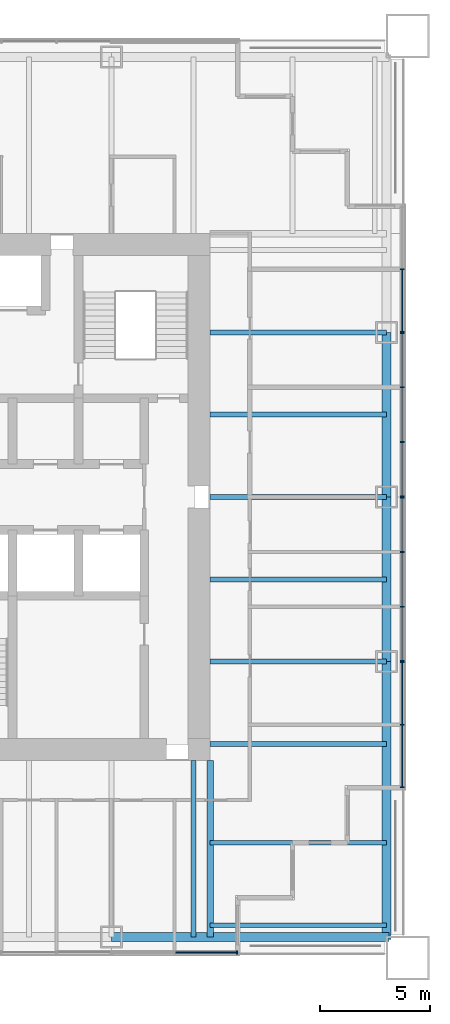
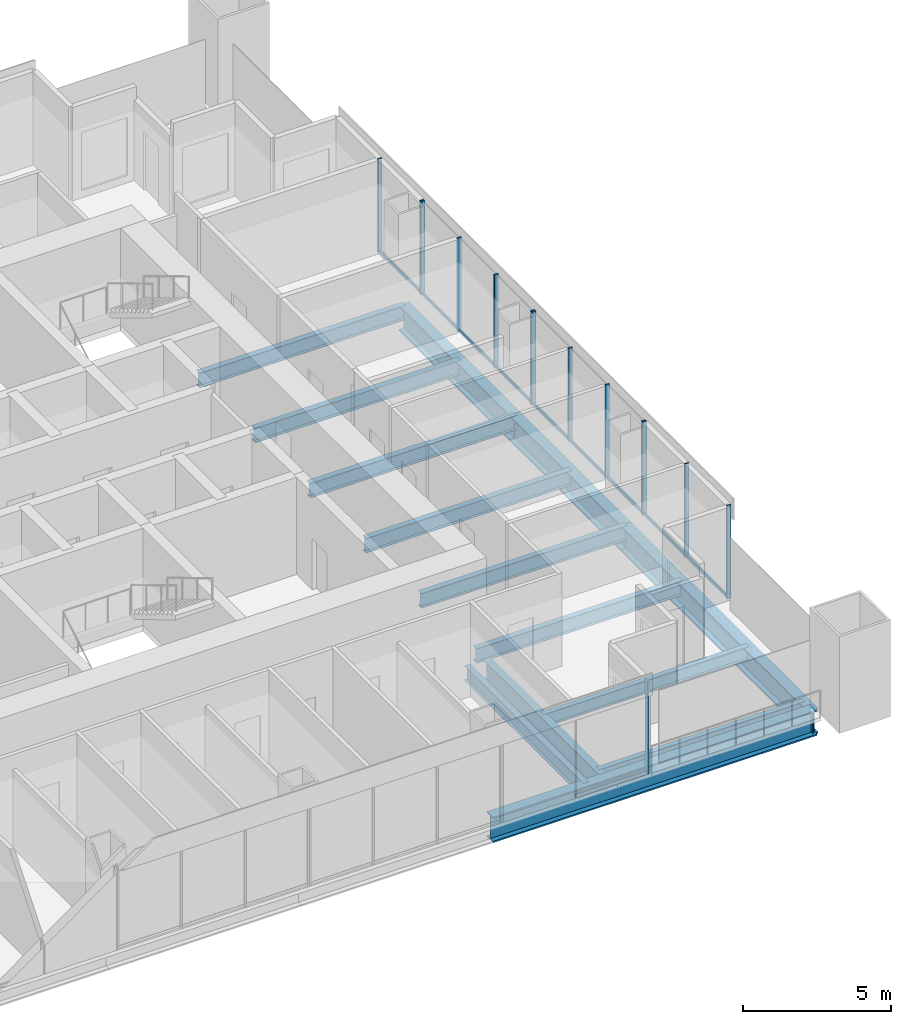
# One storey, part 5 of 14: 24 members, 14 beams, 5 elements without a shape of their own.
"""IFC4 building model written with IfcOpenShell, lengths in metres."""

from ifc_helpers import new_model, si_unit, direction, frame, origin, origin_2d, place, context, subcontext, project, spatial, rectangle, i_section, extrude, material, material_profile, profile_set, type_object, element, aggregate, save


model = new_model("IFC4")

# Units and contexts
model_context = context("Model", 3, precision=1e-05, world=origin(), true_north=direction((0.0, 1.0)))
body_context = subcontext(model_context, "Body", "Model", "MODEL_VIEW")
ifc_project = project(units=[si_unit("LENGTHUNIT", "METRE"), si_unit("AREAUNIT", "SQUARE_METRE"), si_unit("VOLUMEUNIT", "CUBIC_METRE"), si_unit("PLANEANGLEUNIT", "RADIAN"), si_unit("MASSUNIT", "GRAM", prefix="KILO")], contexts=[model_context])

# Site, building, storey
site_placement = place(None, origin())
site = spatial("IfcSite", under=ifc_project, at=site_placement, CompositionType="ELEMENT")
building_placement = place(site_placement, origin())
building = spatial("IfcBuilding", under=site, at=building_placement, Name="Tarangal Relay Tower", CompositionType="ELEMENT")
storey_placement = place(building_placement, frame((0.0, 0.0, 303.89990234375)))
storey = spatial("IfcBuildingStorey", under=building, at=storey_placement, Name="L67", CompositionType="ELEMENT", Elevation=303.89990234375)

# Beams
ifc_material_1 = material(Name="Steel ASTM A992", Category="steel")
ifc_material_profile_1 = material_profile(ifc_material_1, i_section(OverallWidth=0.209228515625, OverallDepth=0.533447265625, WebThickness=0.01025390625, FlangeThickness=0.015625, at=origin_2d()), Name="W21X62")
ifc_profile_set_1 = profile_set([ifc_material_profile_1], Name="Steel ASTM A992")
beam_type_1 = type_object("IfcBeamType", Name="Corner beam W21X62", PredefinedType="JOIST", material=ifc_profile_set_1)
for number, where, z_axis, x_axis, name in (
    (1, (12.0, -15.75, -0.41650390625), (1.0, 0.0, 0.0), (0.0, 1.0, 0.0), "Corner beam CB12 E L67"),
    (2, (12.0, -19.5, -0.41650390625), (1.0, 0.0, 0.0), (0.0, 1.0, 0.0), "Corner beam CB12 E L67"),
):
    element("IfcBeam", number, at=place(storey_placement, frame(where, z_axis=z_axis, x_axis=x_axis)), inside=storey, type_object=beam_type_1, Name=name, PredefinedType="JOIST", context=body_context, shape_type="SweptSolid", body=[
        extrude(i_section(OverallWidth=0.209228515625, OverallDepth=0.533447265625, WebThickness=0.01025390625, FlangeThickness=0.015625, at=origin_2d()), origin(), (0.0, 0.0, 1.0), 8.0400390625),
    ])
ifc_material_profile_2 = material_profile(ifc_material_1, i_section(OverallWidth=0.2919921875, OverallDepth=0.8408203125, WebThickness=0.0146484375, FlangeThickness=0.021728515625, at=origin_2d()), Name="W33X130")
ifc_profile_set_2 = profile_set([ifc_material_profile_2], Name="Steel ASTM A992")
beam_type_2 = type_object("IfcBeamType", Name="Corner girder W33X130", PredefinedType="BEAM", material=ifc_profile_set_2)
beam_placement = place(storey_placement, frame((12.0, -12.0, -0.5703125), z_axis=(0.0, -1.0, 0.0), x_axis=(1.0, 0.0, 0.0)))
element("IfcBeam", 3, at=beam_placement, inside=storey, type_object=beam_type_2, Name="Corner girder CG5 E L67", PredefinedType="BEAM", context=body_context, shape_type="SweptSolid", body=[
    extrude(i_section(OverallWidth=0.2919921875, OverallDepth=0.8408203125, WebThickness=0.0146484375, FlangeThickness=0.021728515625, at=origin_2d()), origin(), (0.0, 0.0, 1.0), 8.0400390625),
])
ifc_material_profile_3 = material_profile(ifc_material_1, i_section(OverallWidth=0.41162109375, OverallDepth=1.049072265625, WebThickness=0.033935546875, FlangeThickness=0.059814453125, at=origin_2d()), Name="W40X431")
ifc_profile_set_3 = profile_set([ifc_material_profile_3], Name="Steel ASTM A992")
beam_type_3 = type_object("IfcBeamType", Name="Edge girder W40X431", PredefinedType="SPANDREL", material=ifc_profile_set_3)
for number, where, z_axis, x_axis, name in (
    (4, (20.0400390625, 7.5, -0.67431640625), (0.0, -1.0, 0.0), (1.0, 0.0, 0.0), "Edge girder EG1 E L67"),
    (5, (20.0400390625, 0.0, -0.67431640625), (0.0, -1.0, 0.0), (1.0, 0.0, 0.0), "Edge girder EG1 E L67"),
):
    element("IfcBeam", number, at=place(storey_placement, frame(where, z_axis=z_axis, x_axis=x_axis)), inside=storey, type_object=beam_type_3, Name=name, PredefinedType="SPANDREL", context=body_context, shape_type="SweptSolid", body=[
        extrude(i_section(OverallWidth=0.41162109375, OverallDepth=1.049072265625, WebThickness=0.033935546875, FlangeThickness=0.059814453125, at=origin_2d()), origin(), (0.0, 0.0, 1.0), 7.5),
    ])
for number, where, z_axis, x_axis, name in (
    (6, (20.0400390625, -7.5, -0.67431640625), (0.0, -1.0, 0.0), (1.0, 0.0, 0.0), "Edge girder EG1 E L67"),
    (7, (20.14990234375, -20.0400390625, -0.67431640625), (-1.0, 0.0, 0.0), (0.0, -1.0, 0.0), "Edge girder EG1 S L67"),
):
    element("IfcBeam", number, at=place(storey_placement, frame(where, z_axis=z_axis, x_axis=x_axis)), inside=storey, type_object=beam_type_3, Name=name, PredefinedType="SPANDREL", context=body_context, shape_type="SweptSolid", body=[
        extrude(i_section(OverallWidth=0.41162109375, OverallDepth=1.049072265625, WebThickness=0.033935546875, FlangeThickness=0.059814453125, at=origin_2d()), origin(), (0.0, 0.0, 1.0), 12.64990234375),
    ])
ifc_material_profile_4 = material_profile(ifc_material_1, i_section(OverallWidth=0.228271484375, OverallDepth=0.607177734375, WebThickness=0.01123046875, FlangeThickness=0.017333984375, at=origin_2d()), Name="W24X76")
ifc_profile_set_4 = profile_set([ifc_material_profile_4], Name="Steel ASTM A992")
beam_type_4 = type_object("IfcBeamType", Name="Floor beam W24X76", PredefinedType="BEAM", material=ifc_profile_set_4)
for number, where, z_axis, x_axis, name in (
    (8, (12.0, 7.5, -0.453369140625), (1.0, 0.0, 0.0), (0.0, 1.0, 0.0), "Floor beam RB5 E L67"),
    (9, (12.0, 3.75, -0.453369140625), (1.0, 0.0, 0.0), (0.0, 1.0, 0.0), "Floor beam RB5 E L67"),
    (10, (12.0, 0.0, -0.453369140625), (1.0, 0.0, 0.0), (0.0, 1.0, 0.0), "Floor beam RB5 E L67"),
    (11, (12.0, -3.75, -0.453369140625), (1.0, 0.0, 0.0), (0.0, 1.0, 0.0), "Floor beam RB5 E L67"),
    (12, (12.0, -7.5, -0.453369140625), (1.0, 0.0, 0.0), (0.0, 1.0, 0.0), "Floor beam RB5 E L67"),
    (13, (12.0, -11.25, -0.453369140625), (1.0, 0.0, 0.0), (0.0, 1.0, 0.0), "Floor beam RB5 E L67"),
    (14, (11.25, -12.0, -0.453369140625), (0.0, -1.0, 0.0), (1.0, 0.0, 0.0), "Floor beam RB5 S L67"),
):
    element("IfcBeam", number, at=place(storey_placement, frame(where, z_axis=z_axis, x_axis=x_axis)), inside=storey, type_object=beam_type_4, Name=name, PredefinedType="BEAM", context=body_context, shape_type="SweptSolid", body=[
        extrude(i_section(OverallWidth=0.228271484375, OverallDepth=0.607177734375, WebThickness=0.01123046875, FlangeThickness=0.017333984375, at=origin_2d()), origin(), (0.0, 0.0, 1.0), 8.0400390625),
    ])

# Curtain wall, members
ifc_material_2 = material(Name="Unitised curtain wall, dark glass and black aluminium", Category="aluminium")
curtain_wall_type_1 = type_object("IfcCurtainWallType", Name="Curtain wall CW-B", PredefinedType="USERDEFINED", material=ifc_material_2)
curtain_wall_1_placement = place(storey_placement, origin())
curtain_wall_1 = element("IfcCurtainWall", 15, at=curtain_wall_1_placement, inside=storey, type_object=curtain_wall_type_1, Name="Curtain wall CW-B E facade L67", ObjectType="UNITISED CURTAIN WALL", PredefinedType="USERDEFINED")
ifc_material_3 = material(Name="Black anodised aluminium mullion", Category="aluminium")
ifc_material_profile_5 = material_profile(ifc_material_3, rectangle(XDim=0.159912109375, YDim=0.06005859375, at=origin_2d()), Name="CW-BM 60X160")
ifc_profile_set_5 = profile_set([ifc_material_profile_5], Name="Black anodised aluminium mullion")
member_type_1 = type_object("IfcMemberType", Name="Mullion CW-B 60 x 160", PredefinedType="MULLION", material=ifc_profile_set_5)
member_1_placement = place(storey_placement, frame((20.75, 7.469970703125, 0.0), z_axis=(0.0, 0.0, 1.0), x_axis=(1.0, 0.0, 0.0)))
member_1 = element("IfcMember", 16, at=member_1_placement, type_object=member_type_1, Name="CW-B mullion 1", PredefinedType="MULLION", context=body_context, shape_type="SweptSolid", body=[
    extrude(rectangle(XDim=0.159912109375, YDim=0.06005859375, at=origin_2d()), origin(), (0.0, 0.0, 1.0), 3.85009765625),
])
member_2_placement = place(storey_placement, frame((20.75, 5.0, 0.0), z_axis=(0.0, 0.0, 1.0), x_axis=(1.0, 0.0, 0.0)))
member_2 = element("IfcMember", 17, at=member_2_placement, type_object=member_type_1, Name="CW-B mullion 2", PredefinedType="MULLION", context=body_context, shape_type="SweptSolid", body=[
    extrude(rectangle(XDim=0.159912109375, YDim=0.06005859375, at=origin_2d()), origin(), (0.0, 0.0, 1.0), 3.85009765625),
])
member_3_placement = place(storey_placement, frame((20.75, 2.5, 0.0), z_axis=(0.0, 0.0, 1.0), x_axis=(1.0, 0.0, 0.0)))
member_3 = element("IfcMember", 18, at=member_3_placement, type_object=member_type_1, Name="CW-B mullion 3", PredefinedType="MULLION", context=body_context, shape_type="SweptSolid", body=[
    extrude(rectangle(XDim=0.159912109375, YDim=0.06005859375, at=origin_2d()), origin(), (0.0, 0.0, 1.0), 3.85009765625),
])
member_4_placement = place(storey_placement, frame((20.75, 0.030029296875, 0.0), z_axis=(0.0, 0.0, 1.0), x_axis=(1.0, 0.0, 0.0)))
member_4 = element("IfcMember", 19, at=member_4_placement, type_object=member_type_1, Name="CW-B mullion 4", PredefinedType="MULLION", context=body_context, shape_type="SweptSolid", body=[
    extrude(rectangle(XDim=0.159912109375, YDim=0.06005859375, at=origin_2d()), origin(), (0.0, 0.0, 1.0), 3.85009765625),
])

curtain_wall_2_placement = place(storey_placement, origin())
curtain_wall_2 = element("IfcCurtainWall", 20, at=curtain_wall_2_placement, inside=storey, type_object=curtain_wall_type_1, Name="Curtain wall CW-B E facade L67", ObjectType="UNITISED CURTAIN WALL", PredefinedType="USERDEFINED")
member_5_placement = place(storey_placement, frame((20.75, -0.030029296875, 0.0), z_axis=(0.0, 0.0, 1.0), x_axis=(1.0, 0.0, 0.0)))
member_5 = element("IfcMember", 21, at=member_5_placement, type_object=member_type_1, Name="CW-B mullion 1", PredefinedType="MULLION", context=body_context, shape_type="SweptSolid", body=[
    extrude(rectangle(XDim=0.159912109375, YDim=0.06005859375, at=origin_2d()), origin(), (0.0, 0.0, 1.0), 3.85009765625),
])
member_6_placement = place(storey_placement, frame((20.75, -2.5, 0.0), z_axis=(0.0, 0.0, 1.0), x_axis=(1.0, 0.0, 0.0)))
member_6 = element("IfcMember", 22, at=member_6_placement, type_object=member_type_1, Name="CW-B mullion 2", PredefinedType="MULLION", context=body_context, shape_type="SweptSolid", body=[
    extrude(rectangle(XDim=0.159912109375, YDim=0.06005859375, at=origin_2d()), origin(), (0.0, 0.0, 1.0), 3.85009765625),
])
member_7_placement = place(storey_placement, frame((20.75, -5.0, 0.0), z_axis=(0.0, 0.0, 1.0), x_axis=(1.0, 0.0, 0.0)))
member_7 = element("IfcMember", 23, at=member_7_placement, type_object=member_type_1, Name="CW-B mullion 3", PredefinedType="MULLION", context=body_context, shape_type="SweptSolid", body=[
    extrude(rectangle(XDim=0.159912109375, YDim=0.06005859375, at=origin_2d()), origin(), (0.0, 0.0, 1.0), 3.85009765625),
])
member_8_placement = place(storey_placement, frame((20.75, -7.469970703125, 0.0), z_axis=(0.0, 0.0, 1.0), x_axis=(1.0, 0.0, 0.0)))
member_8 = element("IfcMember", 24, at=member_8_placement, type_object=member_type_1, Name="CW-B mullion 4", PredefinedType="MULLION", context=body_context, shape_type="SweptSolid", body=[
    extrude(rectangle(XDim=0.159912109375, YDim=0.06005859375, at=origin_2d()), origin(), (0.0, 0.0, 1.0), 3.85009765625),
])

ifc_material_4 = material(Name="Unitised curtain wall frame, black aluminium, with metal clad infill walls", Category="aluminium")
curtain_wall_type_2 = type_object("IfcCurtainWallType", Name="Curtain wall CW-BO", PredefinedType="USERDEFINED", material=ifc_material_4)
curtain_wall_3_placement = place(storey_placement, origin())
curtain_wall_3 = element("IfcCurtainWall", 25, at=curtain_wall_3_placement, inside=storey, type_object=curtain_wall_type_2, Name="Curtain wall CW-BO E facade L67", ObjectType="UNITISED CURTAIN WALL", PredefinedType="USERDEFINED")
ifc_material_profile_6 = material_profile(ifc_material_3, rectangle(XDim=0.159912109375, YDim=0.06005859375, at=origin_2d()), Name="CW-BOM 60X160")
ifc_profile_set_6 = profile_set([ifc_material_profile_6], Name="Black anodised aluminium mullion")
member_type_2 = type_object("IfcMemberType", Name="Mullion CW-BO 60 x 160", PredefinedType="MULLION", material=ifc_profile_set_6)
member_9_placement = place(storey_placement, frame((20.75, 10.375, 0.0), z_axis=(0.0, 0.0, 1.0), x_axis=(1.0, 0.0, 0.0)))
member_9 = element("IfcMember", 26, at=member_9_placement, type_object=member_type_2, Name="CW-BO mullion 2", PredefinedType="MULLION", context=body_context, shape_type="SweptSolid", body=[
    extrude(rectangle(XDim=0.159912109375, YDim=0.06005859375, at=origin_2d()), origin(), (0.0, 0.0, 1.0), 3.85009765625),
])
member_10_placement = place(storey_placement, frame((20.75, 7.530029296875, 0.0), z_axis=(0.0, 0.0, 1.0), x_axis=(1.0, 0.0, 0.0)))
member_10 = element("IfcMember", 27, at=member_10_placement, type_object=member_type_2, Name="CW-BO mullion 3", PredefinedType="MULLION", context=body_context, shape_type="SweptSolid", body=[
    extrude(rectangle(XDim=0.159912109375, YDim=0.06005859375, at=origin_2d()), origin(), (0.0, 0.0, 1.0), 3.85009765625),
])

curtain_wall_4_placement = place(storey_placement, origin())
curtain_wall_4 = element("IfcCurtainWall", 28, at=curtain_wall_4_placement, inside=storey, type_object=curtain_wall_type_2, Name="Curtain wall CW-BO E facade L67", ObjectType="UNITISED CURTAIN WALL", PredefinedType="USERDEFINED")
member_11_placement = place(storey_placement, frame((20.75, -7.530029296875, 0.0), z_axis=(0.0, 0.0, 1.0), x_axis=(1.0, 0.0, 0.0)))
member_11 = element("IfcMember", 29, at=member_11_placement, type_object=member_type_2, Name="CW-BO mullion 1", PredefinedType="MULLION", context=body_context, shape_type="SweptSolid", body=[
    extrude(rectangle(XDim=0.159912109375, YDim=0.06005859375, at=origin_2d()), origin(), (0.0, 0.0, 1.0), 3.85009765625),
])
member_12_placement = place(storey_placement, frame((20.75, -10.375, 0.0), z_axis=(0.0, 0.0, 1.0), x_axis=(1.0, 0.0, 0.0)))
member_12 = element("IfcMember", 30, at=member_12_placement, type_object=member_type_2, Name="CW-BO mullion 2", PredefinedType="MULLION", context=body_context, shape_type="SweptSolid", body=[
    extrude(rectangle(XDim=0.159912109375, YDim=0.06005859375, at=origin_2d()), origin(), (0.0, 0.0, 1.0), 3.85009765625),
])
member_13_placement = place(storey_placement, frame((20.75, -13.219970703125, 0.0), z_axis=(0.0, 0.0, 1.0), x_axis=(1.0, 0.0, 0.0)))
member_13 = element("IfcMember", 31, at=member_13_placement, type_object=member_type_2, Name="CW-BO mullion 3", PredefinedType="MULLION", context=body_context, shape_type="SweptSolid", body=[
    extrude(rectangle(XDim=0.159912109375, YDim=0.06005859375, at=origin_2d()), origin(), (0.0, 0.0, 1.0), 3.85009765625),
])

# Curtain wall, member
curtain_wall_5_placement = place(storey_placement, origin())
curtain_wall_5 = element("IfcCurtainWall", 32, at=curtain_wall_5_placement, inside=storey, type_object=curtain_wall_type_2, Name="Curtain wall CW-BO S facade L67", ObjectType="UNITISED CURTAIN WALL", PredefinedType="USERDEFINED")
member_14_placement = place(storey_placement, frame((13.219970703125, -20.75, 0.0), z_axis=(0.0, 0.0, 1.0), x_axis=(0.0, -1.0, 0.0)))
member_14 = element("IfcMember", 33, at=member_14_placement, type_object=member_type_2, Name="CW-BO mullion 1", PredefinedType="MULLION", context=body_context, shape_type="SweptSolid", body=[
    extrude(rectangle(XDim=0.159912109375, YDim=0.06005859375, at=origin_2d()), origin(), (0.0, 0.0, 1.0), 3.85009765625),
])

# Member
ifc_material_5 = material(Name="Black anodised aluminium transom", Category="aluminium")
ifc_material_profile_7 = material_profile(ifc_material_5, rectangle(XDim=0.06005859375, YDim=0.1298828125, at=origin_2d()), Name="CW-BT 60X130")
ifc_profile_set_7 = profile_set([ifc_material_profile_7], Name="Black anodised aluminium transom")
member_type_3 = type_object("IfcMemberType", Name="Transom CW-B 60 x 130", PredefinedType="USERDEFINED", material=ifc_profile_set_7)
member_15_placement = place(storey_placement, frame((20.75, 7.43994140625, 0.030029296875), z_axis=(0.0, -1.0, 0.0), x_axis=(1.0, 0.0, 0.0)))
member_15 = element("IfcMember", 34, at=member_15_placement, type_object=member_type_3, Name="CW-B transom 1.1", ObjectType="TRANSOM", PredefinedType="USERDEFINED", context=body_context, shape_type="SweptSolid", body=[
    extrude(rectangle(XDim=0.06005859375, YDim=0.1298828125, at=origin_2d()), origin(), (0.0, 0.0, 1.0), 2.409912109375),
])

member_16_placement = place(storey_placement, frame((20.75, 4.969970703125, 0.030029296875), z_axis=(0.0, -1.0, 0.0), x_axis=(1.0, 0.0, 0.0)))
member_16 = element("IfcMember", 35, at=member_16_placement, type_object=member_type_3, Name="CW-B transom 2.1", ObjectType="TRANSOM", PredefinedType="USERDEFINED", context=body_context, shape_type="SweptSolid", body=[
    extrude(rectangle(XDim=0.06005859375, YDim=0.1298828125, at=origin_2d()), origin(), (0.0, 0.0, 1.0), 2.43994140625),
])

member_17_placement = place(storey_placement, frame((20.75, 2.469970703125, 0.030029296875), z_axis=(0.0, -1.0, 0.0), x_axis=(1.0, 0.0, 0.0)))
member_17 = element("IfcMember", 36, at=member_17_placement, type_object=member_type_3, Name="CW-B transom 3.1", ObjectType="TRANSOM", PredefinedType="USERDEFINED", context=body_context, shape_type="SweptSolid", body=[
    extrude(rectangle(XDim=0.06005859375, YDim=0.1298828125, at=origin_2d()), origin(), (0.0, 0.0, 1.0), 2.409912109375),
])

aggregate(curtain_wall_1, [member_1, member_2, member_3, member_4, member_15, member_16, member_17])

member_18_placement = place(storey_placement, frame((20.75, -0.06005859375, 0.030029296875), z_axis=(0.0, -1.0, 0.0), x_axis=(1.0, 0.0, 0.0)))
member_18 = element("IfcMember", 37, at=member_18_placement, type_object=member_type_3, Name="CW-B transom 1.1", ObjectType="TRANSOM", PredefinedType="USERDEFINED", context=body_context, shape_type="SweptSolid", body=[
    extrude(rectangle(XDim=0.06005859375, YDim=0.1298828125, at=origin_2d()), origin(), (0.0, 0.0, 1.0), 2.409912109375),
])

member_19_placement = place(storey_placement, frame((20.75, -2.530029296875, 0.030029296875), z_axis=(0.0, -1.0, 0.0), x_axis=(1.0, 0.0, 0.0)))
member_19 = element("IfcMember", 38, at=member_19_placement, type_object=member_type_3, Name="CW-B transom 2.1", ObjectType="TRANSOM", PredefinedType="USERDEFINED", context=body_context, shape_type="SweptSolid", body=[
    extrude(rectangle(XDim=0.06005859375, YDim=0.1298828125, at=origin_2d()), origin(), (0.0, 0.0, 1.0), 2.43994140625),
])

member_20_placement = place(storey_placement, frame((20.75, -5.030029296875, 0.030029296875), z_axis=(0.0, -1.0, 0.0), x_axis=(1.0, 0.0, 0.0)))
member_20 = element("IfcMember", 39, at=member_20_placement, type_object=member_type_3, Name="CW-B transom 3.1", ObjectType="TRANSOM", PredefinedType="USERDEFINED", context=body_context, shape_type="SweptSolid", body=[
    extrude(rectangle(XDim=0.06005859375, YDim=0.1298828125, at=origin_2d()), origin(), (0.0, 0.0, 1.0), 2.409912109375),
])

aggregate(curtain_wall_2, [member_5, member_6, member_7, member_8, member_18, member_19, member_20])

ifc_material_profile_8 = material_profile(ifc_material_5, rectangle(XDim=0.06005859375, YDim=0.1298828125, at=origin_2d()), Name="CW-BOT 60X130")
ifc_profile_set_8 = profile_set([ifc_material_profile_8], Name="Black anodised aluminium transom")
member_type_4 = type_object("IfcMemberType", Name="Transom CW-BO 60 x 130", PredefinedType="USERDEFINED", material=ifc_profile_set_8)
member_21_placement = place(storey_placement, frame((20.75, 10.344970703125, 0.030029296875), z_axis=(0.0, -1.0, 0.0), x_axis=(1.0, 0.0, 0.0)))
member_21 = element("IfcMember", 40, at=member_21_placement, type_object=member_type_4, Name="CW-BO transom 2.1", ObjectType="TRANSOM", PredefinedType="USERDEFINED", context=body_context, shape_type="SweptSolid", body=[
    extrude(rectangle(XDim=0.06005859375, YDim=0.1298828125, at=origin_2d()), origin(), (0.0, 0.0, 1.0), 2.784912109375),
])

aggregate(curtain_wall_3, [member_9, member_10, member_21])

member_22_placement = place(storey_placement, frame((20.75, -7.56005859375, 0.030029296875), z_axis=(0.0, -1.0, 0.0), x_axis=(1.0, 0.0, 0.0)))
member_22 = element("IfcMember", 41, at=member_22_placement, type_object=member_type_4, Name="CW-BO transom 1.1", ObjectType="TRANSOM", PredefinedType="USERDEFINED", context=body_context, shape_type="SweptSolid", body=[
    extrude(rectangle(XDim=0.06005859375, YDim=0.1298828125, at=origin_2d()), origin(), (0.0, 0.0, 1.0), 2.784912109375),
])

member_23_placement = place(storey_placement, frame((20.75, -10.405029296875, 0.030029296875), z_axis=(0.0, -1.0, 0.0), x_axis=(1.0, 0.0, 0.0)))
member_23 = element("IfcMember", 42, at=member_23_placement, type_object=member_type_4, Name="CW-BO transom 2.1", ObjectType="TRANSOM", PredefinedType="USERDEFINED", context=body_context, shape_type="SweptSolid", body=[
    extrude(rectangle(XDim=0.06005859375, YDim=0.1298828125, at=origin_2d()), origin(), (0.0, 0.0, 1.0), 2.784912109375),
])

aggregate(curtain_wall_4, [member_11, member_12, member_13, member_22, member_23])

member_24_placement = place(storey_placement, frame((13.18994140625, -20.75, 0.030029296875), z_axis=(-1.0, 0.0, 0.0), x_axis=(0.0, -1.0, 0.0)))
member_24 = element("IfcMember", 43, at=member_24_placement, type_object=member_type_4, Name="CW-BO transom 1.1", ObjectType="TRANSOM", PredefinedType="USERDEFINED", context=body_context, shape_type="SweptSolid", body=[
    extrude(rectangle(XDim=0.06005859375, YDim=0.1298828125, at=origin_2d()), origin(), (0.0, 0.0, 1.0), 2.784912109375),
])

aggregate(curtain_wall_5, [member_14, member_24])

save(model, "model.ifc")
